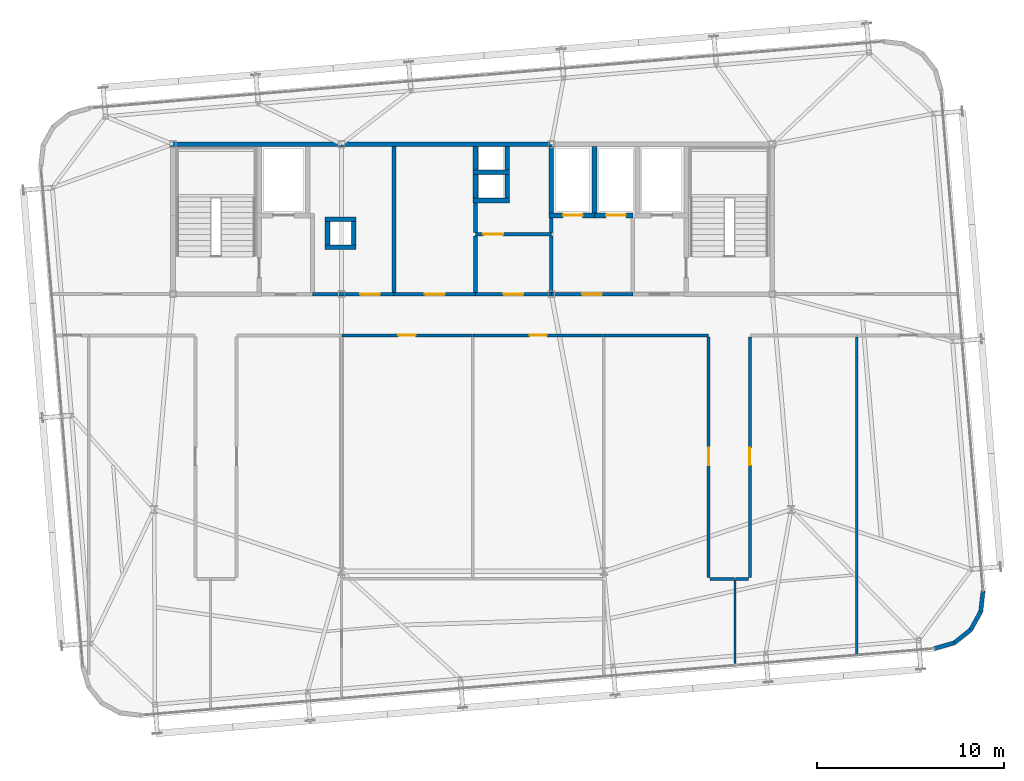
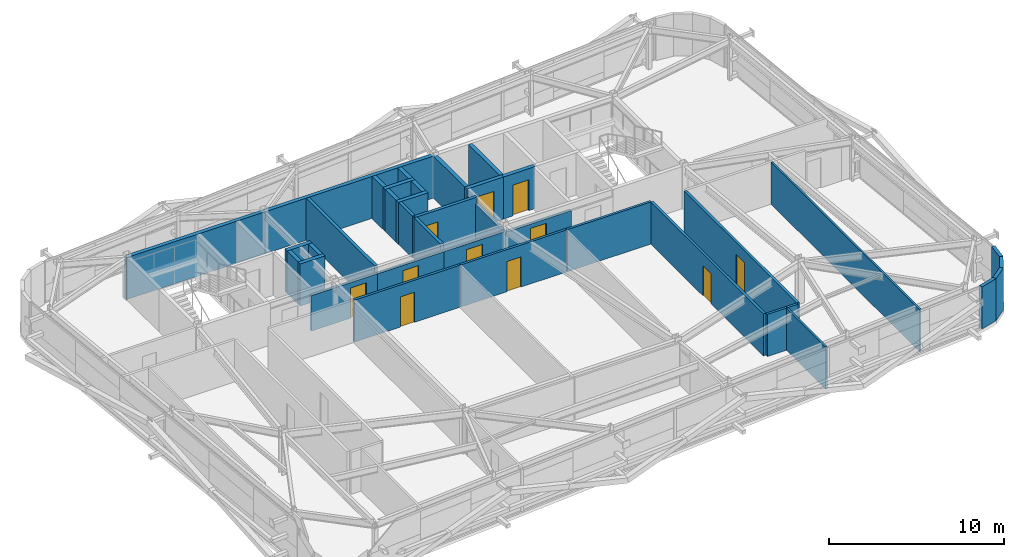
# One storey, part 34 of 37: 39 walls, 11 doors, 11 openings.
"""IFC4 building model written with IfcOpenShell, lengths in metres."""

from ifc_helpers import new_model, si_unit, direction, frame, frame_2d, origin, place, context, subcontext, project, spatial, rectangle, extrude, source, transform, mapped, material, layer, layer_set, type_object, element, fill, save


model = new_model("IFC4")

# Units and contexts
model_context = context("Model", 3, precision=1e-05, world=origin(), true_north=direction((0.0, 1.0)))
body_context = subcontext(model_context, "Body", "Model", "MODEL_VIEW")
ifc_project = project(units=[si_unit("LENGTHUNIT", "METRE"), si_unit("AREAUNIT", "SQUARE_METRE"), si_unit("VOLUMEUNIT", "CUBIC_METRE"), si_unit("PLANEANGLEUNIT", "RADIAN"), si_unit("MASSUNIT", "GRAM", prefix="KILO")], contexts=[model_context])

# Site, building, storey
site_placement = place(None, origin())
site = spatial("IfcSite", under=ifc_project, at=site_placement, CompositionType="ELEMENT")
building_placement = place(site_placement, origin())
building = spatial("IfcBuilding", under=site, at=building_placement, Name="Taldren Reach Tower", CompositionType="ELEMENT")
storey_placement = place(building_placement, frame((0.0, 0.0, 172.550048828125)))
storey = spatial("IfcBuildingStorey", under=building, at=storey_placement, Name="L52", CompositionType="ELEMENT", Elevation=172.550048828125)

# Walls
ifc_material_1 = material(Name="Pale Champagne Anodised Aluminium Cladding", Category="aluminium")
ifc_layer_1 = layer(ifc_material_1, 0.04, Name="Pale Champagne Anodised Aluminium Cladding", Category="aluminium")
ifc_material_2 = material(Name="Mineral Wool Acoustic Insulation", Category="insulation")
ifc_layer_2 = layer(ifc_material_2, 0.06, Name="Mineral Wool Acoustic Insulation", Category="insulation")
ifc_material_3 = material(Name="Steel Gr 350 (C350L0)", Category="steel")
ifc_layer_3 = layer(ifc_material_3, 0.12, Name="Steel Gr 350 (C350L0)", Category="steel")
ifc_layer_set_1 = layer_set([ifc_layer_1, ifc_layer_2, ifc_layer_3], Name="Pale Champagne Aluminium Cladding and Steel Gr 350 Stud Framing")
wall_type_1 = type_object("IfcWallType", Name="EW-CRN-220", PredefinedType="SOLIDWALL", material=ifc_layer_set_1)
shared_shape_1 = source(origin(), body_context, "Body", "SweptSolid", [
    extrude(rectangle(XDim=1.115966796875, YDim=0.219970703125, at=frame_2d((0.55810546875, 0.0))), origin(), (0.0, 0.0, 1.0), 2.929931640625),
])
for number, where, z_axis, x_axis, name in (
    (1, (59.635986328125, 5.0751953125, 0.0), (0.0, 0.0, 1.0), (0.961010464297, 0.276512002475, 0.0), "Rounded-corner pale-metal facade wall L52-SE1"),
    (2, (60.70849609375, 5.3837890625, 0.0), (0.0, 0.0, 1.0), (0.782147847222, 0.623092886403, 0.0), "Rounded-corner pale-metal facade wall L52-SE2"),
    (3, (61.581298828125, 6.0791015625, 0.0), (0.0, 0.0, 1.0), (0.483933071672, 0.875105012065, 0.0), "Rounded-corner pale-metal facade wall L52-SE3"),
    (4, (62.121337890625, 7.0556640625, 0.0), (0.0, 0.0, 1.0), (0.112448259968, 0.993657581277, 0.0), "Rounded-corner pale-metal facade wall L52-SE4"),
):
    element("IfcWall", number, at=place(storey_placement, frame(where, z_axis=z_axis, x_axis=x_axis)), inside=storey, type_object=wall_type_1, Name=name, PredefinedType="SOLIDWALL", context=body_context, shape_type="MappedRepresentation", body=[
        mapped(shared_shape_1, transform((0.0, 0.0, 0.0), scale=1.0)),
    ])

# Wall, opening, door
ifc_material_4 = material(Name="Concrete S50 (50 MPa)", Category="concrete")
ifc_layer_4 = layer(ifc_material_4, 0.199951171875)
ifc_layer_set_2 = layer_set([ifc_layer_4], Name="Concrete S50 (50 MPa)")
wall_type_2 = type_object("IfcWallType", Name="IW-CORE-200", PredefinedType="SOLIDWALL", material=ifc_layer_set_2)
shared_shape_2 = source(origin(), body_context, "Body", "SweptSolid", [
    extrude(rectangle(XDim=4.35009765625, YDim=0.199951171875, at=frame_2d((2.175048828125, 0.0))), origin(), (0.0, 0.0, 1.0), 2.469970703125),
])
wall_1_placement = place(storey_placement, frame((30.800048828125, 24.0, 0.0), z_axis=(0.0, 0.0, 1.0), x_axis=(-1.0, 0.0, 0.0)))
wall_1 = element("IfcWall", 5, at=wall_1_placement, inside=storey, type_object=wall_type_2, Name="Rear Core Shear Wall W-INT-L52-033", PredefinedType="SOLIDWALL", context=body_context, shape_type="MappedRepresentation", body=[
    mapped(shared_shape_2, transform((0.0, 0.0, 0.0), scale=1.0)),
])
shared_shape_3 = source(origin(), body_context, "Body", "SweptSolid", [
    extrude(rectangle(XDim=1.050048828125, YDim=2.10009765625, at=frame_2d((0.52490234375, 1.050048828125))), frame((0.0, 0.10986328125, 0.0), z_axis=(0.0, -1.0, 0.0), x_axis=(1.0, 0.0, 0.0)), (0.0, 0.0, 1.0), 0.219970703125),
])
opening_1_placement = place(wall_1_placement, frame((0.75, 0.0, 0.0)))
opening_1 = element("IfcOpeningElement", 6, at=opening_1_placement, cuts=wall_1, Name="Opening DF-105", PredefinedType="OPENING", context=body_context, shape_type="MappedRepresentation", body=[
    mapped(shared_shape_3, transform((0.0, 0.0, 0.0), scale=1.0)),
])
ifc_material_5 = material(Name="Fire-Rated Care and Stair Exit Door")
door_type_1 = type_object("IfcDoorType", Name="ID-FIRE-105", OperationType="NOTDEFINED", PredefinedType="DOOR", material=ifc_material_5)
shared_shape_4 = source(origin(), body_context, "Body", "SweptSolid", [
    extrude(rectangle(XDim=1.050048828125, YDim=2.10009765625, at=frame_2d((0.52490234375, 1.050048828125))), frame((0.0, 0.02490234375, 0.0), z_axis=(0.0, -1.0, 0.0), x_axis=(1.0, 0.0, 0.0)), (0.0, 0.0, 1.0), 0.050048828125),
])
door_1_placement = place(opening_1_placement, frame((1.050048828125, 0.0, 0.0), z_axis=(0.0, 0.0, 1.0), x_axis=(-1.0, 0.0, 0.0)))
door_1 = element("IfcDoor", 7, at=door_1_placement, inside=storey, type_object=door_type_1, Name="Interior Door DR-L52-006", OperationType="SINGLE_SWING_RIGHT", OverallHeight=2.10009765625, OverallWidth=1.050048828125, PredefinedType="DOOR", context=body_context, shape_type="MappedRepresentation", body=[
    mapped(shared_shape_4, transform((0.0, 0.0, 0.0), scale=1.0)),
])
fill(opening_1, door_1)

shared_shape_5 = source(origin(), body_context, "Body", "SweptSolid", [
    extrude(rectangle(XDim=4.35009765625, YDim=0.199951171875, at=frame_2d((2.175048828125, 0.0))), origin(), (0.0, 0.0, 1.0), 2.39697265625),
])
wall_2_placement = place(storey_placement, frame((43.550048828125, 24.0, 0.0), z_axis=(0.0, 0.0, 1.0), x_axis=(-1.0, 0.0, 0.0)))
wall_2 = element("IfcWall", 8, at=wall_2_placement, inside=storey, type_object=wall_type_2, Name="Rear Core Shear Wall W-INT-L52-031", PredefinedType="SOLIDWALL", context=body_context, shape_type="MappedRepresentation", body=[
    mapped(shared_shape_5, transform((0.0, 0.0, 0.0), scale=1.0)),
])
opening_2_placement = place(wall_2_placement, frame((1.64990234375, 0.0, 0.0)))
opening_2 = element("IfcOpeningElement", 9, at=opening_2_placement, cuts=wall_2, Name="Opening DF-105", PredefinedType="OPENING", context=body_context, shape_type="MappedRepresentation", body=[
    mapped(shared_shape_3, transform((0.0, 0.0, 0.0), scale=1.0)),
])
door_2_placement = place(opening_2_placement, frame((1.050048828125, 0.0, 0.0), z_axis=(0.0, 0.0, 1.0), x_axis=(-1.0, 0.0, 0.0)))
door_2 = element("IfcDoor", 10, at=door_2_placement, inside=storey, type_object=door_type_1, Name="Interior Door DR-L52-005", OperationType="SINGLE_SWING_LEFT", OverallHeight=2.10009765625, OverallWidth=1.050048828125, PredefinedType="DOOR", context=body_context, shape_type="MappedRepresentation", body=[
    mapped(shared_shape_4, transform((0.0, 0.0, 0.0), scale=1.0)),
])
fill(opening_2, door_2)

shared_shape_6 = source(origin(), body_context, "Body", "SweptSolid", [
    extrude(rectangle(XDim=4.349853515625, YDim=0.199951171875, at=frame_2d((2.1748046875, 0.0))), origin(), (0.0, 0.0, 1.0), 2.469970703125),
])
wall_3_placement = place(storey_placement, frame((35.14990234375, 24.0, 0.0), z_axis=(0.0, 0.0, 1.0), x_axis=(-1.0, 0.0, 0.0)))
wall_3 = element("IfcWall", 11, at=wall_3_placement, inside=storey, type_object=wall_type_2, Name="Rear Core Shear Wall W-INT-L52-036", PredefinedType="SOLIDWALL", context=body_context, shape_type="MappedRepresentation", body=[
    mapped(shared_shape_6, transform((0.0, 0.0, 0.0), scale=1.0)),
])
opening_3_placement = place(wall_3_placement, frame((1.64990234375, 0.0, 0.0)))
opening_3 = element("IfcOpeningElement", 12, at=opening_3_placement, cuts=wall_3, Name="Opening DF-105", PredefinedType="OPENING", context=body_context, shape_type="MappedRepresentation", body=[
    mapped(shared_shape_3, transform((0.0, 0.0, 0.0), scale=1.0)),
])
door_3_placement = place(opening_3_placement, frame((1.050048828125, 0.0, 0.0), z_axis=(0.0, 0.0, 1.0), x_axis=(-1.0, 0.0, 0.0)))
door_3 = element("IfcDoor", 13, at=door_3_placement, inside=storey, type_object=door_type_1, Name="Interior Door DR-L52-007", OperationType="SINGLE_SWING_LEFT", OverallHeight=2.10009765625, OverallWidth=1.050048828125, PredefinedType="DOOR", context=body_context, shape_type="MappedRepresentation", body=[
    mapped(shared_shape_4, transform((0.0, 0.0, 0.0), scale=1.0)),
])
fill(opening_3, door_3)

# Walls
shared_shape_7 = source(origin(), body_context, "Body", "SweptSolid", [
    extrude(rectangle(XDim=3.0, YDim=0.199951171875, at=frame_2d((1.5, 0.0))), origin(), (0.0, 0.0, 1.0), 2.469970703125),
])
wall_4_placement = place(storey_placement, frame((39.199951171875, 24.10009765625, 0.0), z_axis=(0.0, 0.0, 1.0), x_axis=(0.0, 1.0, 0.0)))
element("IfcWall", 14, at=wall_4_placement, inside=storey, type_object=wall_type_2, Name="Rear Core Shear Wall W-INT-L52-029", PredefinedType="SOLIDWALL", context=body_context, shape_type="MappedRepresentation", body=[
    mapped(shared_shape_7, transform((0.0, 0.0, 0.0), scale=1.0)),
])
ifc_material_6 = material(Name="Fire-Rated Acoustic Plasterboard Stud Wall", Category="gypsum")
ifc_layer_5 = layer(ifc_material_6, 0.159912109375)
ifc_layer_set_3 = layer_set([ifc_layer_5], Name="Fire-Rated Acoustic Plasterboard Stud Wall")
wall_type_3 = type_object("IfcWallType", Name="IW-FIRE-160", PredefinedType="PARTITIONING", material=ifc_layer_set_3)
shared_shape_8 = source(origin(), body_context, "Body", "SweptSolid", [
    extrude(rectangle(XDim=1.2998046875, YDim=0.159912109375, at=frame_2d((0.64990234375, 0.0))), origin(), (0.0, 0.0, 1.0), 2.929931640625),
])
wall_5_placement = place(storey_placement, frame((48.979736328125, 8.800048828125, 0.0), z_axis=(0.0, 0.0, 1.0), x_axis=(-1.0, 0.0, 0.0)))
element("IfcWall", 15, at=wall_5_placement, inside=storey, type_object=wall_type_3, Name="Interior Partition Wall W-INT-L52-052", PredefinedType="PARTITIONING", context=body_context, shape_type="MappedRepresentation", body=[
    mapped(shared_shape_8, transform((0.0, 0.0, 0.0), scale=1.0)),
])
shared_shape_9 = source(origin(), body_context, "Body", "SweptSolid", [
    extrude(rectangle(XDim=0.69970703125, YDim=0.159912109375, at=frame_2d((0.349853515625, 0.0))), origin(), (0.0, 0.0, 1.0), 2.929931640625),
])
wall_6_placement = place(storey_placement, frame((49.719970703125, 8.800048828125, 0.0), z_axis=(0.0, 0.0, 1.0), x_axis=(-1.0, 0.0, 0.0)))
element("IfcWall", 16, at=wall_6_placement, inside=storey, type_object=wall_type_3, Name="Interior Partition Wall W-INT-L52-055", PredefinedType="PARTITIONING", context=body_context, shape_type="MappedRepresentation", body=[
    mapped(shared_shape_9, transform((0.0, 0.0, 0.0), scale=1.0)),
])

# Wall, opening, door
shared_shape_10 = source(origin(), body_context, "Body", "SweptSolid", [
    extrude(rectangle(XDim=6.95947265625, YDim=0.159912109375, at=frame_2d((3.479736328125, 0.0))), origin(), (0.0, 0.0, 1.0), 2.929931640625),
])
wall_7_placement = place(storey_placement, frame((34.979736328125, 21.800048828125, 0.0), z_axis=(0.0, 0.0, 1.0), x_axis=(-1.0, 0.0, 0.0)))
wall_7 = element("IfcWall", 17, at=wall_7_placement, inside=storey, type_object=wall_type_3, Name="Interior Partition Wall W-INT-L52-047", PredefinedType="PARTITIONING", context=body_context, shape_type="MappedRepresentation", body=[
    mapped(shared_shape_10, transform((0.0, 0.0, 0.0), scale=1.0)),
])
shared_shape_11 = source(origin(), body_context, "Body", "SweptSolid", [
    extrude(rectangle(XDim=0.919921875, YDim=2.10009765625, at=frame_2d((0.4599609375, 1.050048828125))), frame((0.0, 0.08984375, 0.0), z_axis=(0.0, -1.0, 0.0), x_axis=(1.0, 0.0, 0.0)), (0.0, 0.0, 1.0), 0.179931640625),
])
opening_4_placement = place(wall_7_placement, frame((3.019775390625, 0.0, 0.0)))
opening_4 = element("IfcOpeningElement", 18, at=opening_4_placement, cuts=wall_7, Name="Opening DI-092", PredefinedType="OPENING", context=body_context, shape_type="MappedRepresentation", body=[
    mapped(shared_shape_11, transform((0.0, 0.0, 0.0), scale=1.0)),
])
ifc_material_7 = material(Name="Solid-Core Timber Suite Door", Category="wood")
door_type_2 = type_object("IfcDoorType", Name="ID-INT-092", OperationType="NOTDEFINED", PredefinedType="DOOR", material=ifc_material_7)
shared_shape_12 = source(origin(), body_context, "Body", "SweptSolid", [
    extrude(rectangle(XDim=0.919921875, YDim=2.10009765625, at=frame_2d((0.4599609375, 1.050048828125))), frame((0.0, 0.02490234375, 0.0), z_axis=(0.0, -1.0, 0.0), x_axis=(1.0, 0.0, 0.0)), (0.0, 0.0, 1.0), 0.050048828125),
])
door_4_placement = place(opening_4_placement, origin())
door_4 = element("IfcDoor", 19, at=door_4_placement, inside=storey, type_object=door_type_2, Name="Interior Door DR-L52-014", OperationType="SINGLE_SWING_LEFT", OverallHeight=2.10009765625, OverallWidth=0.919921875, PredefinedType="DOOR", context=body_context, shape_type="MappedRepresentation", body=[
    mapped(shared_shape_12, transform((0.0, 0.0, 0.0), scale=1.0)),
])
fill(opening_4, door_4)

wall_8_placement = place(storey_placement, frame((41.979736328125, 21.800048828125, 0.0), z_axis=(0.0, 0.0, 1.0), x_axis=(-1.0, 0.0, 0.0)))
wall_8 = element("IfcWall", 20, at=wall_8_placement, inside=storey, type_object=wall_type_3, Name="Interior Partition Wall W-INT-L52-049", PredefinedType="PARTITIONING", context=body_context, shape_type="MappedRepresentation", body=[
    mapped(shared_shape_10, transform((0.0, 0.0, 0.0), scale=1.0)),
])
opening_5_placement = place(wall_8_placement, frame((3.019775390625, 0.0, 0.0)))
opening_5 = element("IfcOpeningElement", 21, at=opening_5_placement, cuts=wall_8, Name="Opening DI-092", PredefinedType="OPENING", context=body_context, shape_type="MappedRepresentation", body=[
    mapped(shared_shape_11, transform((0.0, 0.0, 0.0), scale=1.0)),
])
door_5_placement = place(opening_5_placement, origin())
door_5 = element("IfcDoor", 22, at=door_5_placement, inside=storey, type_object=door_type_2, Name="Interior Door DR-L52-016", OperationType="SINGLE_SWING_LEFT", OverallHeight=2.10009765625, OverallWidth=0.919921875, PredefinedType="DOOR", context=body_context, shape_type="MappedRepresentation", body=[
    mapped(shared_shape_12, transform((0.0, 0.0, 0.0), scale=1.0)),
])
fill(opening_5, door_5)

# Walls
ifc_material_8 = material(Name="Concrete S65 (65 MPa)", Category="concrete")
ifc_layer_6 = layer(ifc_material_8, 0.25)
ifc_layer_set_4 = layer_set([ifc_layer_6], Name="Concrete S65 (65 MPa)")
wall_type_4 = type_object("IfcWallType", Name="IW-CORE-250", PredefinedType="SHEAR", material=ifc_layer_set_4)
shared_shape_13 = source(origin(), body_context, "Body", "SweptSolid", [
    extrude(rectangle(XDim=9.125, YDim=0.25, at=frame_2d((4.5625, 0.0))), origin(), (0.0, 0.0, 1.0), 2.929931640625),
])
wall_9_placement = place(storey_placement, frame((18.875, 32.0, 0.0), z_axis=(0.0, 0.0, 1.0), x_axis=(1.0, 0.0, 0.0)))
element("IfcWall", 23, at=wall_9_placement, inside=storey, type_object=wall_type_4, Name="Rear Core Shear Wall W-CORE-L52-NORTH1", PredefinedType="SHEAR", context=body_context, shape_type="MappedRepresentation", body=[
    mapped(shared_shape_13, transform((0.0, 0.0, 0.0), scale=1.0)),
])
shared_shape_14 = source(origin(), body_context, "Body", "SweptSolid", [
    extrude(rectangle(XDim=11.199951171875, YDim=0.25, at=frame_2d((5.60009765625, 0.0))), origin(), (0.0, 0.0, 1.0), 2.929931640625),
])
wall_10_placement = place(storey_placement, frame((28.0, 32.0, 0.0), z_axis=(0.0, 0.0, 1.0), x_axis=(1.0, 0.0, 0.0)))
element("IfcWall", 24, at=wall_10_placement, inside=storey, type_object=wall_type_4, Name="Rear Core Shear Wall W-CORE-L52-NORTH2", PredefinedType="SHEAR", context=body_context, shape_type="MappedRepresentation", body=[
    mapped(shared_shape_14, transform((0.0, 0.0, 0.0), scale=1.0)),
])
shared_shape_15 = source(origin(), body_context, "Body", "SweptSolid", [
    extrude(rectangle(XDim=3.550048828125, YDim=0.25, at=frame_2d((1.77490234375, 0.0))), origin(), (0.0, 0.0, 1.0), 2.929931640625),
])
for number, where, z_axis, x_axis, name in (
    (25, (41.5, 28.324951171875, 0.0), (0.0, 0.0, 1.0), (0.0, 1.0, 0.0), "Rear Core Shear Wall W-INT-L52-025"),
    (26, (39.199951171875, 31.875, 0.0), (0.0, 0.0, 1.0), (0.0, -1.0, 0.0), "Rear Core Shear Wall W-INT-L52-027"),
):
    element("IfcWall", number, at=place(storey_placement, frame(where, z_axis=z_axis, x_axis=x_axis)), inside=storey, type_object=wall_type_4, Name=name, PredefinedType="SHEAR", context=body_context, shape_type="MappedRepresentation", body=[
        mapped(shared_shape_15, transform((0.0, 0.0, 0.0), scale=1.0)),
    ])
shared_shape_16 = source(origin(), body_context, "Body", "SweptSolid", [
    extrude(rectangle(XDim=1.9501953125, YDim=0.25, at=frame_2d((0.97509765625, 0.0))), origin(), (0.0, 0.0, 1.0), 2.929931640625),
])
for number, where, z_axis, x_axis, name in (
    (27, (35.02490234375, 30.5, 0.0), (0.0, 0.0, 1.0), (1.0, 0.0, 0.0), "Rear Core Shear Wall W-INT-L52-015"),
    (28, (35.02490234375, 29.0, 0.0), (0.0, 0.0, 1.0), (1.0, 0.0, 0.0), "Rear Core Shear Wall W-INT-L52-019"),
):
    element("IfcWall", number, at=place(storey_placement, frame(where, z_axis=z_axis, x_axis=x_axis)), inside=storey, type_object=wall_type_4, Name=name, PredefinedType="SHEAR", context=body_context, shape_type="MappedRepresentation", body=[
        mapped(shared_shape_16, transform((0.0, 0.0, 0.0), scale=1.0)),
    ])
shared_shape_17 = source(origin(), body_context, "Body", "SweptSolid", [
    extrude(rectangle(XDim=1.25, YDim=0.25, at=frame_2d((0.625, 0.0))), origin(), (0.0, 0.0, 1.0), 2.929931640625),
])
for number, where, z_axis, x_axis, name in (
    (29, (35.14990234375, 31.875, 0.0), (0.0, 0.0, 1.0), (0.0, -1.0, 0.0), "Rear Core Shear Wall W-INT-L52-016"),
    (30, (36.85009765625, 30.625, 0.0), (0.0, 0.0, 1.0), (0.0, 1.0, 0.0), "Rear Core Shear Wall W-INT-L52-017"),
    (31, (35.14990234375, 30.375, 0.0), (0.0, 0.0, 1.0), (0.0, -1.0, 0.0), "Rear Core Shear Wall W-INT-L52-018"),
    (32, (36.85009765625, 29.125, 0.0), (0.0, 0.0, 1.0), (0.0, 1.0, 0.0), "Rear Core Shear Wall W-INT-L52-020"),
    (33, (28.64990234375, 26.625, 0.0), (0.0, 0.0, 1.0), (0.0, 1.0, 0.0), "Rear Core Shear Wall W-INT-L52-021"),
    (34, (27.25, 27.875, 0.0), (0.0, 0.0, 1.0), (0.0, -1.0, 0.0), "Rear Core Shear Wall W-INT-L52-022"),
):
    element("IfcWall", number, at=place(storey_placement, frame(where, z_axis=z_axis, x_axis=x_axis)), inside=storey, type_object=wall_type_4, Name=name, PredefinedType="SHEAR", context=body_context, shape_type="MappedRepresentation", body=[
        mapped(shared_shape_17, transform((0.0, 0.0, 0.0), scale=1.0)),
    ])
shared_shape_18 = source(origin(), body_context, "Body", "SweptSolid", [
    extrude(rectangle(XDim=1.64990234375, YDim=0.25, at=frame_2d((0.824951171875, 0.0))), origin(), (0.0, 0.0, 1.0), 2.929931640625),
])
for number, where, z_axis, x_axis, name in (
    (35, (28.77490234375, 28.0, 0.0), (0.0, 0.0, 1.0), (-1.0, 0.0, 0.0), "Rear Core Shear Wall W-INT-L52-023"),
    (36, (27.125, 26.5, 0.0), (0.0, 0.0, 1.0), (1.0, 0.0, 0.0), "Rear Core Shear Wall W-INT-L52-024"),
):
    element("IfcWall", number, at=place(storey_placement, frame(where, z_axis=z_axis, x_axis=x_axis)), inside=storey, type_object=wall_type_4, Name=name, PredefinedType="SHEAR", context=body_context, shape_type="MappedRepresentation", body=[
        mapped(shared_shape_18, transform((0.0, 0.0, 0.0), scale=1.0)),
    ])

# Wall, opening, door
shared_shape_19 = source(origin(), body_context, "Body", "SweptSolid", [
    extrude(rectangle(XDim=2.425048828125, YDim=0.25, at=frame_2d((1.21240234375, 0.0))), origin(), (0.0, 0.0, 1.0), 2.929931640625),
])
wall_11_placement = place(storey_placement, frame((39.074951171875, 28.199951171875, 0.0), z_axis=(0.0, 0.0, 1.0), x_axis=(1.0, 0.0, 0.0)))
wall_11 = element("IfcWall", 37, at=wall_11_placement, inside=storey, type_object=wall_type_4, Name="Rear Core Shear Wall W-INT-L52-026", PredefinedType="SHEAR", context=body_context, shape_type="MappedRepresentation", body=[
    mapped(shared_shape_19, transform((0.0, 0.0, 0.0), scale=1.0)),
])
shared_shape_20 = source(origin(), body_context, "Body", "SweptSolid", [
    extrude(rectangle(XDim=1.050048828125, YDim=2.14990234375, at=frame_2d((0.52490234375, 1.074951171875))), frame((0.0, 0.135009765625, 0.0), z_axis=(0.0, -1.0, 0.0), x_axis=(1.0, 0.0, 0.0)), (0.0, 0.0, 1.0), 0.27001953125),
])
opening_6_placement = place(wall_11_placement, frame((0.75, 0.0, 0.0)))
opening_6 = element("IfcOpeningElement", 38, at=opening_6_placement, cuts=wall_11, Name="Opening LD-PH1", PredefinedType="OPENING", context=body_context, shape_type="MappedRepresentation", body=[
    mapped(shared_shape_20, transform((0.0, 0.0, 0.0), scale=1.0)),
])
ifc_material_9 = material(Name="Stainless Steel Gr 316 Passenger Lift Landing Door", Category="steel")
door_type_3 = type_object("IfcDoorType", Name="LD-PAS-105", OperationType="SLIDING_TO_LEFT", PredefinedType="DOOR", material=ifc_material_9)
shared_shape_21 = source(origin(), body_context, "Body", "SweptSolid", [
    extrude(rectangle(XDim=1.050048828125, YDim=2.14990234375, at=frame_2d((0.52490234375, 1.074951171875))), frame((0.0, 0.02490234375, 0.0), z_axis=(0.0, -1.0, 0.0), x_axis=(1.0, 0.0, 0.0)), (0.0, 0.0, 1.0), 0.050048828125),
])
door_6_placement = place(opening_6_placement, origin())
door_6 = element("IfcDoor", 39, at=door_6_placement, inside=storey, type_object=door_type_3, Name="Lift Landing Door LD-PH1-L52", OperationType="SLIDING_TO_LEFT", OverallHeight=2.14990234375, OverallWidth=1.050048828125, PredefinedType="DOOR", context=body_context, shape_type="MappedRepresentation", body=[
    mapped(shared_shape_21, transform((0.0, 0.0, 0.0), scale=1.0)),
])
fill(opening_6, door_6)

shared_shape_22 = source(origin(), body_context, "Body", "SweptSolid", [
    extrude(rectangle(XDim=2.070068359375, YDim=0.25, at=frame_2d((1.03515625, 0.0))), origin(), (0.0, 0.0, 1.0), 2.929931640625),
])
wall_12_placement = place(storey_placement, frame((41.5, 28.199951171875, 0.0), z_axis=(0.0, 0.0, 1.0), x_axis=(1.0, 0.0, 0.0)))
wall_12 = element("IfcWall", 40, at=wall_12_placement, inside=storey, type_object=wall_type_4, Name="Rear Core Shear Wall W-INT-L52-028", PredefinedType="SHEAR", context=body_context, shape_type="MappedRepresentation", body=[
    mapped(shared_shape_22, transform((0.0, 0.0, 0.0), scale=1.0)),
])
opening_7_placement = place(wall_12_placement, frame((0.625, 0.0, 0.0)))
opening_7 = element("IfcOpeningElement", 41, at=opening_7_placement, cuts=wall_12, Name="Opening LD-PH2", PredefinedType="OPENING", context=body_context, shape_type="MappedRepresentation", body=[
    mapped(shared_shape_20, transform((0.0, 0.0, 0.0), scale=1.0)),
])
door_7_placement = place(opening_7_placement, origin())
door_7 = element("IfcDoor", 42, at=door_7_placement, inside=storey, type_object=door_type_3, Name="Lift Landing Door LD-PH2-L52", OperationType="SLIDING_TO_LEFT", OverallHeight=2.14990234375, OverallWidth=1.050048828125, PredefinedType="DOOR", context=body_context, shape_type="MappedRepresentation", body=[
    mapped(shared_shape_21, transform((0.0, 0.0, 0.0), scale=1.0)),
])
fill(opening_7, door_7)

# Walls
shared_shape_23 = source(origin(), body_context, "Body", "SweptSolid", [
    extrude(rectangle(XDim=0.77490234375, YDim=0.199951171875, at=frame_2d((0.387451171875, 0.0))), origin(), (0.0, 0.0, 1.0), 2.469970703125),
])
wall_13_placement = place(storey_placement, frame((39.199951171875, 27.300048828125, 0.0), z_axis=(0.0, 0.0, 1.0), x_axis=(0.0, 1.0, 0.0)))
element("IfcWall", 43, at=wall_13_placement, inside=storey, type_object=wall_type_2, Name="Rear Core Shear Wall W-INT-L52-030", PredefinedType="SOLIDWALL", context=body_context, shape_type="MappedRepresentation", body=[
    mapped(shared_shape_23, transform((0.0, 0.0, 0.0), scale=1.0)),
])
shared_shape_24 = source(origin(), body_context, "Body", "SweptSolid", [
    extrude(rectangle(XDim=7.77490234375, YDim=0.199951171875, at=frame_2d((3.887451171875, 0.0))), origin(), (0.0, 0.0, 1.0), 2.929931640625),
])
wall_14_placement = place(storey_placement, frame((30.800048828125, 31.875, 0.0), z_axis=(0.0, 0.0, 1.0), x_axis=(0.0, -1.0, 0.0)))
element("IfcWall", 44, at=wall_14_placement, inside=storey, type_object=wall_type_2, Name="Rear Core Shear Wall W-INT-L52-032", PredefinedType="SOLIDWALL", context=body_context, shape_type="MappedRepresentation", body=[
    mapped(shared_shape_24, transform((0.0, 0.0, 0.0), scale=1.0)),
])
shared_shape_25 = source(origin(), body_context, "Body", "SweptSolid", [
    extrude(rectangle(XDim=3.0, YDim=0.199951171875, at=frame_2d((1.5, 0.0))), origin(), (0.0, 0.0, 1.0), 2.929931640625),
])
wall_15_placement = place(storey_placement, frame((35.14990234375, 27.10009765625, 0.0), z_axis=(0.0, 0.0, 1.0), x_axis=(0.0, -1.0, 0.0)))
element("IfcWall", 45, at=wall_15_placement, inside=storey, type_object=wall_type_2, Name="Rear Core Shear Wall W-INT-L52-034", PredefinedType="SOLIDWALL", context=body_context, shape_type="MappedRepresentation", body=[
    mapped(shared_shape_25, transform((0.0, 0.0, 0.0), scale=1.0)),
])
shared_shape_26 = source(origin(), body_context, "Body", "SweptSolid", [
    extrude(rectangle(XDim=1.574951171875, YDim=0.199951171875, at=frame_2d((0.78759765625, 0.0))), origin(), (0.0, 0.0, 1.0), 2.929931640625),
])
wall_16_placement = place(storey_placement, frame((35.14990234375, 28.875, 0.0), z_axis=(0.0, 0.0, 1.0), x_axis=(0.0, -1.0, 0.0)))
element("IfcWall", 46, at=wall_16_placement, inside=storey, type_object=wall_type_2, Name="Rear Core Shear Wall W-INT-L52-035", PredefinedType="SOLIDWALL", context=body_context, shape_type="MappedRepresentation", body=[
    mapped(shared_shape_26, transform((0.0, 0.0, 0.0), scale=1.0)),
])

# Wall, opening, door
shared_shape_27 = source(origin(), body_context, "Body", "SweptSolid", [
    extrude(rectangle(XDim=4.050048828125, YDim=0.199951171875, at=frame_2d((2.02490234375, 0.0))), origin(), (0.0, 0.0, 1.0), 2.929931640625),
])
wall_17_placement = place(storey_placement, frame((35.14990234375, 27.199951171875, 0.0), z_axis=(0.0, 0.0, 1.0), x_axis=(1.0, 0.0, 0.0)))
wall_17 = element("IfcWall", 47, at=wall_17_placement, inside=storey, type_object=wall_type_2, Name="Rear Core Shear Wall W-INT-L52-037", PredefinedType="SOLIDWALL", context=body_context, shape_type="MappedRepresentation", body=[
    mapped(shared_shape_27, transform((0.0, 0.0, 0.0), scale=1.0)),
])
opening_8_placement = place(wall_17_placement, frame((0.419921875, 0.0, 0.0)))
opening_8 = element("IfcOpeningElement", 48, at=opening_8_placement, cuts=wall_17, Name="Opening DF-105", PredefinedType="OPENING", context=body_context, shape_type="MappedRepresentation", body=[
    mapped(shared_shape_3, transform((0.0, 0.0, 0.0), scale=1.0)),
])
door_8_placement = place(opening_8_placement, origin())
door_8 = element("IfcDoor", 49, at=door_8_placement, inside=storey, type_object=door_type_1, Name="Interior Door DR-L52-008", OperationType="SINGLE_SWING_LEFT", OverallHeight=2.10009765625, OverallWidth=1.050048828125, PredefinedType="DOOR", context=body_context, shape_type="MappedRepresentation", body=[
    mapped(shared_shape_4, transform((0.0, 0.0, 0.0), scale=1.0)),
])
fill(opening_8, door_8)

shared_shape_28 = source(origin(), body_context, "Body", "SweptSolid", [
    extrude(rectangle(XDim=4.050048828125, YDim=0.199951171875, at=frame_2d((2.02490234375, 0.0))), origin(), (0.0, 0.0, 1.0), 2.469970703125),
])
wall_18_placement = place(storey_placement, frame((39.199951171875, 24.0, 0.0), z_axis=(0.0, 0.0, 1.0), x_axis=(-1.0, 0.0, 0.0)))
wall_18 = element("IfcWall", 50, at=wall_18_placement, inside=storey, type_object=wall_type_2, Name="Rear Core Shear Wall W-INT-L52-038", PredefinedType="SOLIDWALL", context=body_context, shape_type="MappedRepresentation", body=[
    mapped(shared_shape_28, transform((0.0, 0.0, 0.0), scale=1.0)),
])
opening_9_placement = place(wall_18_placement, frame((1.5, 0.0, 0.0)))
opening_9 = element("IfcOpeningElement", 51, at=opening_9_placement, cuts=wall_18, Name="Opening DF-105", PredefinedType="OPENING", context=body_context, shape_type="MappedRepresentation", body=[
    mapped(shared_shape_3, transform((0.0, 0.0, 0.0), scale=1.0)),
])
door_9_placement = place(opening_9_placement, frame((1.050048828125, 0.0, 0.0), z_axis=(0.0, 0.0, 1.0), x_axis=(-1.0, 0.0, 0.0)))
door_9 = element("IfcDoor", 52, at=door_9_placement, inside=storey, type_object=door_type_1, Name="Interior Door DR-L52-009", OperationType="SINGLE_SWING_LEFT", OverallHeight=2.10009765625, OverallWidth=1.050048828125, PredefinedType="DOOR", context=body_context, shape_type="MappedRepresentation", body=[
    mapped(shared_shape_4, transform((0.0, 0.0, 0.0), scale=1.0)),
])
fill(opening_9, door_9)

shared_shape_29 = source(origin(), body_context, "Body", "SweptSolid", [
    extrude(rectangle(XDim=12.840087890625, YDim=0.159912109375, at=frame_2d((6.419921875, 0.0))), origin(), (0.0, 0.0, 1.0), 2.929931640625),
])
wall_19_placement = place(storey_placement, frame((47.60009765625, 8.8798828125, 0.0), z_axis=(0.0, 0.0, 1.0), x_axis=(0.0, 1.0, 0.0)))
wall_19 = element("IfcWall", 53, at=wall_19_placement, inside=storey, type_object=wall_type_3, Name="Interior Partition Wall W-INT-L52-050", PredefinedType="PARTITIONING", context=body_context, shape_type="MappedRepresentation", body=[
    mapped(shared_shape_29, transform((0.0, 0.0, 0.0), scale=1.0)),
])
opening_10_placement = place(wall_19_placement, frame((5.989990234375, 0.0, 0.0)))
opening_10 = element("IfcOpeningElement", 54, at=opening_10_placement, cuts=wall_19, Name="Opening DI-092", PredefinedType="OPENING", context=body_context, shape_type="MappedRepresentation", body=[
    mapped(shared_shape_11, transform((0.0, 0.0, 0.0), scale=1.0)),
])
door_10_placement = place(opening_10_placement, origin())
door_10 = element("IfcDoor", 55, at=door_10_placement, inside=storey, type_object=door_type_2, Name="Interior Door DR-L52-017", OperationType="SINGLE_SWING_RIGHT", OverallHeight=2.10009765625, OverallWidth=0.919921875, PredefinedType="DOOR", context=body_context, shape_type="MappedRepresentation", body=[
    mapped(shared_shape_12, transform((0.0, 0.0, 0.0), scale=1.0)),
])
fill(opening_10, door_10)

wall_20_placement = place(storey_placement, frame((49.800048828125, 21.719970703125, 0.0), z_axis=(0.0, 0.0, 1.0), x_axis=(0.0, -1.0, 0.0)))
wall_20 = element("IfcWall", 56, at=wall_20_placement, inside=storey, type_object=wall_type_3, Name="Interior Partition Wall W-INT-L52-053", PredefinedType="PARTITIONING", context=body_context, shape_type="MappedRepresentation", body=[
    mapped(shared_shape_29, transform((0.0, 0.0, 0.0), scale=1.0)),
])
opening_11_placement = place(wall_20_placement, frame((5.93017578125, 0.0, 0.0)))
opening_11 = element("IfcOpeningElement", 57, at=opening_11_placement, cuts=wall_20, Name="Opening DI-092", PredefinedType="OPENING", context=body_context, shape_type="MappedRepresentation", body=[
    mapped(shared_shape_11, transform((0.0, 0.0, 0.0), scale=1.0)),
])
door_11_placement = place(opening_11_placement, origin())
door_11 = element("IfcDoor", 58, at=door_11_placement, inside=storey, type_object=door_type_2, Name="Interior Door DR-L52-018", OperationType="SINGLE_SWING_LEFT", OverallHeight=2.10009765625, OverallWidth=0.919921875, PredefinedType="DOOR", context=body_context, shape_type="MappedRepresentation", body=[
    mapped(shared_shape_12, transform((0.0, 0.0, 0.0), scale=1.0)),
])
fill(opening_11, door_11)

# Walls
shared_shape_30 = source(origin(), body_context, "Body", "SweptSolid", [
    extrude(rectangle(XDim=5.5595703125, YDim=0.159912109375, at=frame_2d((2.77978515625, 0.0))), origin(), (0.0, 0.0, 1.0), 2.929931640625),
])
wall_21_placement = place(storey_placement, frame((47.579833984375, 21.800048828125, 0.0), z_axis=(0.0, 0.0, 1.0), x_axis=(-1.0, 0.0, 0.0)))
element("IfcWall", 59, at=wall_21_placement, inside=storey, type_object=wall_type_3, Name="Interior Partition Wall W-INT-L52-051", PredefinedType="PARTITIONING", context=body_context, shape_type="MappedRepresentation", body=[
    mapped(shared_shape_30, transform((0.0, 0.0, 0.0), scale=1.0)),
])
ifc_material_10 = material(Name="Insulated Residential Stud Partition", Category="gypsum")
ifc_layer_7 = layer(ifc_material_10, 0.1201171875)
ifc_layer_set_5 = layer_set([ifc_layer_7], Name="Insulated Residential Stud Partition")
wall_type_5 = type_object("IfcWallType", Name="IW-PART-120", PredefinedType="PARTITIONING", material=ifc_layer_set_5)
shared_shape_31 = source(origin(), body_context, "Body", "SweptSolid", [
    extrude(rectangle(XDim=4.454345703125, YDim=0.1201171875, at=frame_2d((2.22705078125, 0.0))), origin(), (0.0, 0.0, 1.0), 2.929931640625),
])
wall_22_placement = place(storey_placement, frame((49.0, 8.719970703125, 0.0), z_axis=(0.0, 0.0, 1.0), x_axis=(0.0, -1.0, 0.0)))
element("IfcWall", 60, at=wall_22_placement, inside=storey, type_object=wall_type_5, Name="Interior Partition Wall W-INT-L52-066", PredefinedType="PARTITIONING", context=body_context, shape_type="MappedRepresentation", body=[
    mapped(shared_shape_31, transform((0.0, 0.0, 0.0), scale=1.0)),
])
shared_shape_32 = source(origin(), body_context, "Body", "SweptSolid", [
    extrude(rectangle(XDim=16.908447265625, YDim=0.1201171875, at=frame_2d((8.4541015625, 0.0))), origin(), (0.0, 0.0, 1.0), 2.929931640625),
])
wall_23_placement = place(storey_placement, frame((55.5, 21.719970703125, 0.0), z_axis=(0.0, 0.0, 1.0), x_axis=(0.0, -1.0, 0.0)))
element("IfcWall", 61, at=wall_23_placement, inside=storey, type_object=wall_type_5, Name="Interior Partition Wall W-INT-L52-067", PredefinedType="PARTITIONING", context=body_context, shape_type="MappedRepresentation", body=[
    mapped(shared_shape_32, transform((0.0, 0.0, 0.0), scale=1.0)),
])

save(model, "model.ifc")
